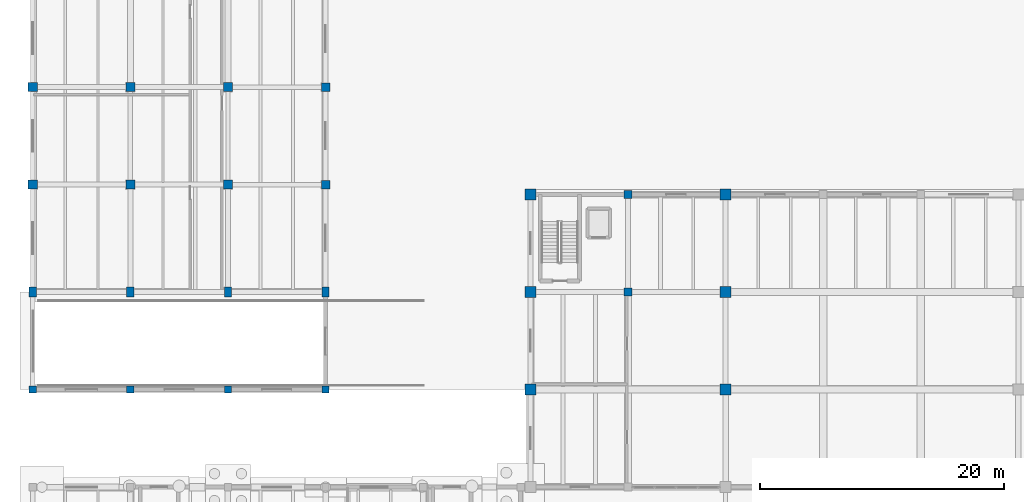
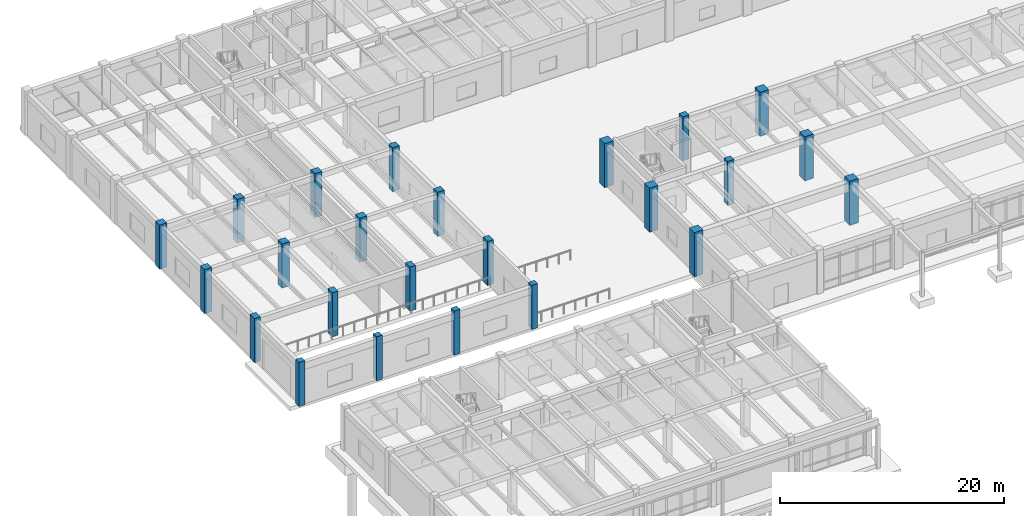
# One storey, part 7 of 64: 24 columns.
"""IFC4 building model written with IfcOpenShell, lengths in metres."""

from ifc_helpers import new_model, si_unit, direction, frame, origin, origin_2d, place, context, subcontext, project, spatial, rectangle, extrude, material, material_profile, profile_set, type_object, element, save


model = new_model("IFC4")

# Units and contexts
model_context = context("Model", 3, precision=1e-05, world=origin(), true_north=direction((0.0, 1.0)))
body_context = subcontext(model_context, "Body", "Model", "MODEL_VIEW")
ifc_project = project(units=[si_unit("LENGTHUNIT", "METRE"), si_unit("AREAUNIT", "SQUARE_METRE"), si_unit("VOLUMEUNIT", "CUBIC_METRE"), si_unit("PLANEANGLEUNIT", "RADIAN"), si_unit("MASSUNIT", "GRAM", prefix="KILO")], contexts=[model_context])

# Site, building, storey
site_placement = place(None, origin())
site = spatial("IfcSite", under=ifc_project, at=site_placement, CompositionType="ELEMENT")
building_placement = place(site_placement, origin())
building = spatial("IfcBuilding", under=site, at=building_placement, Name="Tlaxcora Railside Police Headquarters", CompositionType="ELEMENT")
storey_placement = place(building_placement, origin())
storey = spatial("IfcBuildingStorey", under=building, at=storey_placement, Name="L00", CompositionType="ELEMENT", Elevation=0.0)

# Columns
ifc_material = material(Name="Concrete C40/50", Category="concrete")
ifc_material_profile_1 = material_profile(ifc_material, rectangle(XDim=0.75, YDim=0.75, at=origin_2d()), Name="RC750X750")
ifc_profile_set_1 = profile_set([ifc_material_profile_1], Name="Concrete C40/50")
column_type_1 = type_object("IfcColumnType", Name="Structural Column CL-18", PredefinedType="COLUMN", material=ifc_profile_set_1)
for number, where, z_axis, x_axis, name in (
    (1, (5.199951171875, 60.800048828125, 0.0), (0.0, 0.0, 1.0), (1.0, 0.0, 0.0), "L00 column (5.2, 60.8)"),
    (2, (5.199951171875, 68.800048828125, 0.0), (0.0, 0.0, 1.0), (1.0, 0.0, 0.0), "L00 column (5.2, 68.8)"),
    (3, (13.199951171875, 60.800048828125, 0.0), (0.0, 0.0, 1.0), (1.0, 0.0, 0.0), "L00 column (13.2, 60.8)"),
    (4, (13.199951171875, 68.800048828125, 0.0), (0.0, 0.0, 1.0), (1.0, 0.0, 0.0), "L00 column (13.2, 68.8)"),
    (5, (21.199951171875, 60.800048828125, 0.0), (0.0, 0.0, 1.0), (1.0, 0.0, 0.0), "L00 column (21.2, 60.8)"),
    (6, (21.199951171875, 68.800048828125, 0.0), (0.0, 0.0, 1.0), (1.0, 0.0, 0.0), "L00 column (21.2, 68.8)"),
):
    element("IfcColumn", number, at=place(storey_placement, frame(where, z_axis=z_axis, x_axis=x_axis)), inside=storey, type_object=column_type_1, Name=name, PredefinedType="COLUMN", context=body_context, shape_type="SweptSolid", body=[
        extrude(rectangle(XDim=0.75, YDim=0.75, at=origin_2d()), origin(), (0.0, 0.0, 1.0), 4.800048828125),
    ])
ifc_material_profile_2 = material_profile(ifc_material, rectangle(XDim=0.699951171875, YDim=0.699951171875, at=origin_2d()), Name="RC700X700")
ifc_profile_set_2 = profile_set([ifc_material_profile_2], Name="Concrete C40/50")
column_type_2 = type_object("IfcColumnType", Name="Structural Column CL-43", PredefinedType="COLUMN", material=ifc_profile_set_2)
for number, where, z_axis, x_axis, name in (
    (7, (29.199951171875, 60.800048828125, 0.0), (0.0, 0.0, 1.0), (1.0, 0.0, 0.0), "L00 column (29.2, 60.8)"),
    (8, (29.199951171875, 68.800048828125, 0.0), (0.0, 0.0, 1.0), (1.0, 0.0, 0.0), "L00 column (29.2, 68.8)"),
):
    element("IfcColumn", number, at=place(storey_placement, frame(where, z_axis=z_axis, x_axis=x_axis)), inside=storey, type_object=column_type_2, Name=name, PredefinedType="COLUMN", context=body_context, shape_type="SweptSolid", body=[
        extrude(rectangle(XDim=0.699951171875, YDim=0.699951171875, at=origin_2d()), origin(), (0.0, 0.0, 1.0), 4.800048828125),
    ])
ifc_material_profile_3 = material_profile(ifc_material, rectangle(XDim=0.89990234375, YDim=0.89990234375, at=origin_2d()), Name="RC900X900")
ifc_profile_set_3 = profile_set([ifc_material_profile_3], Name="Concrete C40/50")
column_type_3 = type_object("IfcColumnType", Name="Structural Column CL-45", PredefinedType="COLUMN", material=ifc_profile_set_3)
for number, where, z_axis, x_axis, name in (
    (9, (46.0, 44.0, 0.0), (0.0, 0.0, 1.0), (1.0, 0.0, 0.0), "L00 column (46.0, 44.0)"),
    (10, (46.0, 52.0, 0.0), (0.0, 0.0, 1.0), (1.0, 0.0, 0.0), "L00 column (46.0, 52.0)"),
    (11, (46.0, 60.0, 0.0), (0.0, 0.0, 1.0), (1.0, 0.0, 0.0), "L00 column (46.0, 60.0)"),
    (12, (62.0, 44.0, 0.0), (0.0, 0.0, 1.0), (1.0, 0.0, 0.0), "L00 column (62.0, 44.0)"),
    (13, (62.0, 52.0, 0.0), (0.0, 0.0, 1.0), (1.0, 0.0, 0.0), "L00 column (62.0, 52.0)"),
    (14, (62.0, 60.0, 0.0), (0.0, 0.0, 1.0), (1.0, 0.0, 0.0), "L00 column (62.0, 60.0)"),
):
    element("IfcColumn", number, at=place(storey_placement, frame(where, z_axis=z_axis, x_axis=x_axis)), inside=storey, type_object=column_type_3, Name=name, PredefinedType="COLUMN", context=body_context, shape_type="SweptSolid", body=[
        extrude(rectangle(XDim=0.89990234375, YDim=0.89990234375, at=origin_2d()), origin(), (0.0, 0.0, 1.0), 4.800048828125),
    ])
ifc_material_profile_4 = material_profile(ifc_material, rectangle(XDim=0.60009765625, YDim=0.60009765625, at=origin_2d()), Name="RC600X600")
ifc_profile_set_4 = profile_set([ifc_material_profile_4], Name="Concrete C40/50")
column_type_4 = type_object("IfcColumnType", Name="Structural Column CL-53", PredefinedType="COLUMN", material=ifc_profile_set_4)
for number, where, z_axis, x_axis, name in (
    (15, (5.199951171875, 44.0, 0.0), (0.0, 0.0, 1.0), (1.0, 0.0, 0.0), "L00 column (5.2, 44.0)"),
    (16, (13.199951171875, 44.0, 0.0), (0.0, 0.0, 1.0), (1.0, 0.0, 0.0), "L00 column (13.2, 44.0)"),
    (17, (21.199951171875, 44.0, 0.0), (0.0, 0.0, 1.0), (1.0, 0.0, 0.0), "L00 column (21.2, 44.0)"),
    (18, (29.199951171875, 44.0, 0.0), (0.0, 0.0, 1.0), (1.0, 0.0, 0.0), "L00 column (29.2, 44.0)"),
):
    element("IfcColumn", number, at=place(storey_placement, frame(where, z_axis=z_axis, x_axis=x_axis)), inside=storey, type_object=column_type_4, Name=name, PredefinedType="COLUMN", context=body_context, shape_type="SweptSolid", body=[
        extrude(rectangle(XDim=0.60009765625, YDim=0.60009765625, at=origin_2d()), origin(), (0.0, 0.0, 1.0), 4.800048828125),
    ])
ifc_material_profile_5 = material_profile(ifc_material, rectangle(XDim=0.64990234375, YDim=0.64990234375, at=origin_2d()), Name="RC650X650")
ifc_profile_set_5 = profile_set([ifc_material_profile_5], Name="Concrete C40/50")
column_type_5 = type_object("IfcColumnType", Name="Structural Column CL-76", PredefinedType="COLUMN", material=ifc_profile_set_5)
for number, where, z_axis, x_axis, name in (
    (19, (54.0, 52.0, 0.0), (0.0, 0.0, 1.0), (1.0, 0.0, 0.0), "L00 column (54.0, 52.0)"),
    (20, (54.0, 60.0, 0.0), (0.0, 0.0, 1.0), (1.0, 0.0, 0.0), "L00 column (54.0, 60.0)"),
):
    element("IfcColumn", number, at=place(storey_placement, frame(where, z_axis=z_axis, x_axis=x_axis)), inside=storey, type_object=column_type_5, Name=name, PredefinedType="COLUMN", context=body_context, shape_type="SweptSolid", body=[
        extrude(rectangle(XDim=0.64990234375, YDim=0.64990234375, at=origin_2d()), origin(), (0.0, 0.0, 1.0), 4.800048828125),
    ])
ifc_material_profile_6 = material_profile(ifc_material, rectangle(XDim=0.60009765625, YDim=0.800048828125, at=origin_2d()), Name="RC600X800")
ifc_profile_set_6 = profile_set([ifc_material_profile_6], Name="Concrete C40/50")
column_type_6 = type_object("IfcColumnType", Name="Structural Column CL-90", PredefinedType="COLUMN", material=ifc_profile_set_6)
for number, where, z_axis, x_axis, name in (
    (21, (5.199951171875, 52.0, 0.0), (0.0, 0.0, 1.0), (1.0, 0.0, 0.0), "L00 column (5.2, 52.0)"),
    (22, (13.199951171875, 52.0, 0.0), (0.0, 0.0, 1.0), (1.0, 0.0, 0.0), "L00 column (13.2, 52.0)"),
    (23, (21.199951171875, 52.0, 0.0), (0.0, 0.0, 1.0), (1.0, 0.0, 0.0), "L00 column (21.2, 52.0)"),
    (24, (29.199951171875, 52.0, 0.0), (0.0, 0.0, 1.0), (1.0, 0.0, 0.0), "L00 column (29.2, 52.0)"),
):
    element("IfcColumn", number, at=place(storey_placement, frame(where, z_axis=z_axis, x_axis=x_axis)), inside=storey, type_object=column_type_6, Name=name, PredefinedType="COLUMN", context=body_context, shape_type="SweptSolid", body=[
        extrude(rectangle(XDim=0.60009765625, YDim=0.800048828125, at=origin_2d()), origin(), (0.0, 0.0, 1.0), 4.800048828125),
    ])

save(model, "model.ifc")
